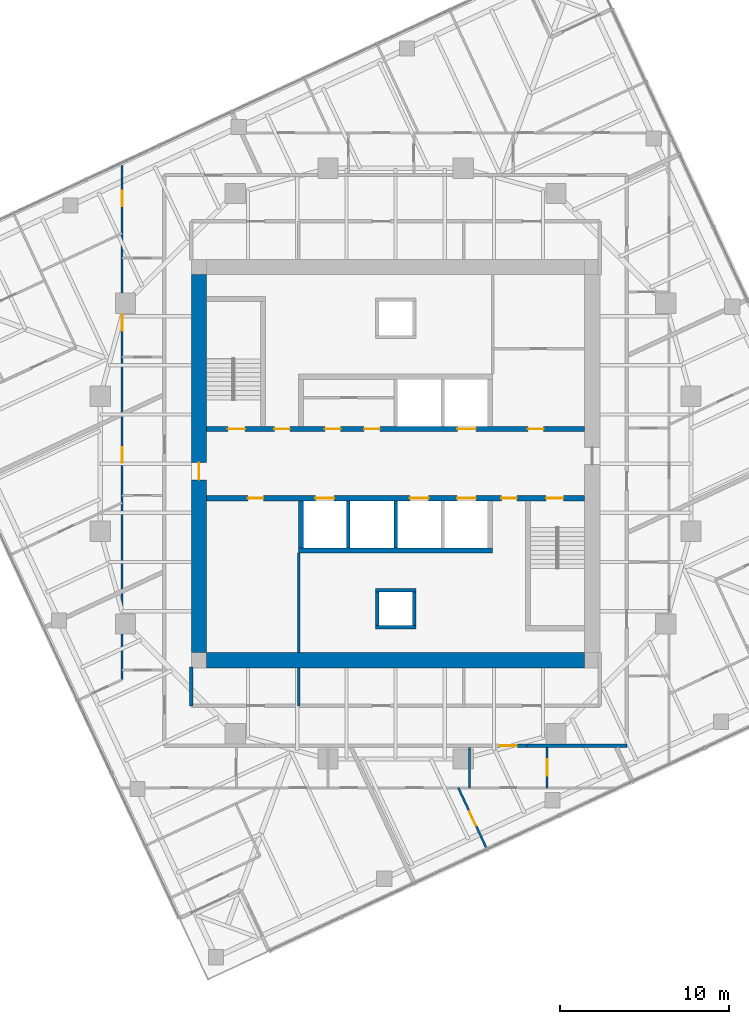
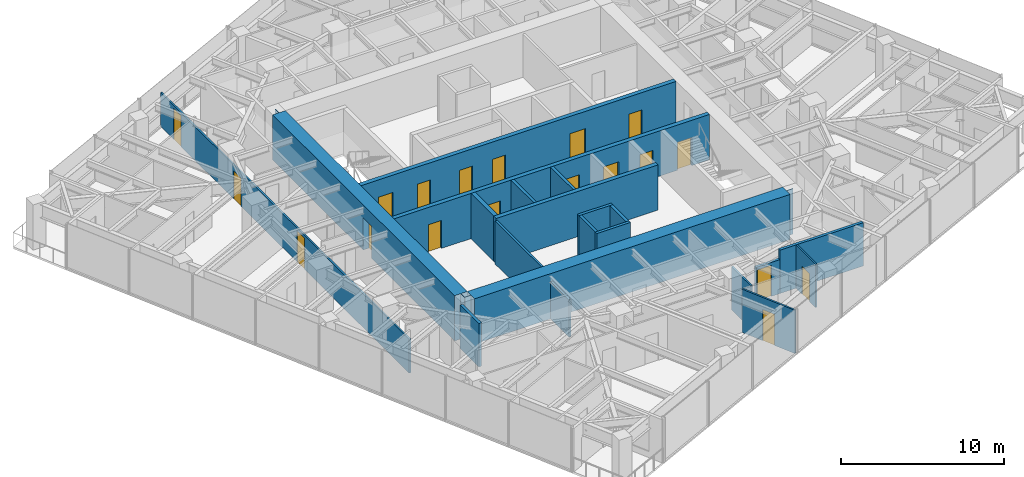
# One storey, part 8 of 12: 21 walls, 19 doors, 19 openings.
"""IFC4 building model written with IfcOpenShell, lengths in metres."""

import ifcopenshell
import ifcopenshell.guid

model = None  # the IFC model being written
_history = None  # IfcOwnerHistory: only IFC2X3 demands one
_inside = {}  # id of a spatial element -> (the spatial element, [elements in it])
_under = {}  # id of a project, library or spatial element -> (it, [spatial elements below it])
_declared = {}  # id of a project -> (the project, [libraries it declares])
_typed = {}  # id of a type object -> (the type object, [elements of that type])
_made_of = {}  # id of a material, layer set ... -> (it, [elements and type objects made of it])


def new_model(schema):
    """Start an empty IFC model of exactly this schema.

    Asked for "IFC4X3", IfcOpenShell would pick the latest addendum, in which some entities
    have other attributes; the version numbers below select the first issue.
    IFC2X3 requires an IfcOwnerHistory on every rooted entity: one is made here for all.
    """
    global model, _history
    if schema == "IFC4X3":
        model = ifcopenshell.file(schema_version=(4, 3, 0, 0))
    else:
        model = ifcopenshell.file(schema=schema)
    _inside.clear()
    _under.clear()
    _declared.clear()
    _typed.clear()
    _made_of.clear()
    _history = None
    if model.schema == "IFC2X3":
        org = make("IfcOrganization", Name="unknown")
        user = make(
            "IfcPersonAndOrganization",
            ThePerson=make("IfcPerson", FamilyName="unknown"),
            TheOrganization=org,
        )
        app = make(
            "IfcApplication",
            ApplicationDeveloper=org,
            Version="unknown",
            ApplicationFullName="unknown",
            ApplicationIdentifier="unknown",
        )
        _history = make(
            "IfcOwnerHistory",
            OwningUser=user,
            OwningApplication=app,
            ChangeAction="ADDED",
            CreationDate=0,
        )
    return model


def make(cls, **values):
    """One entity of the class cls with the attributes given. An attribute that is None is left unset."""
    return model.create_entity(
        cls, **{name: value for name, value in values.items() if value is not None}
    )


def rooted(cls, **values):
    """An entity with a GlobalId (a new one), such as an element, a storey or a relation."""
    return make(cls, GlobalId=ifcopenshell.guid.new(), OwnerHistory=_history, **values)


def si_unit(unit_type, name, prefix=None):
    """IfcSIUnit, for example si_unit("LENGTHUNIT", "METRE", prefix="MILLI")."""
    return make("IfcSIUnit", UnitType=unit_type, Prefix=prefix, Name=name)


def assignment(units):
    """IfcUnitAssignment: the units of a project."""
    return None if units is None else make("IfcUnitAssignment", Units=units)


def point(xyz):
    """IfcCartesianPoint."""
    return None if xyz is None else make("IfcCartesianPoint", Coordinates=xyz)


def direction(xyz):
    """IfcDirection."""
    return None if xyz is None else make("IfcDirection", DirectionRatios=xyz)


def frame(location, z_axis=None, x_axis=None):
    """IfcAxis2Placement3D, a coordinate frame: its origin and axes. An axis left out is left unset."""
    return make(
        "IfcAxis2Placement3D",
        Location=point(location),
        Axis=direction(z_axis),
        RefDirection=direction(x_axis),
    )


def frame_2d(location, x_axis=None):
    """IfcAxis2Placement2D, a coordinate frame in the plane: its origin and x axis."""
    return make(
        "IfcAxis2Placement2D", Location=point(location), RefDirection=direction(x_axis)
    )


def origin():
    """The frame at (0, 0, 0) with its axes left unset."""
    return frame((0.0, 0.0, 0.0))


def place(relative_to, where):
    """IfcLocalPlacement: puts the frame where relative to a parent placement (None: the world)."""
    return make(
        "IfcLocalPlacement", PlacementRelTo=relative_to, RelativePlacement=where
    )


def context(
    kind, dimensions, precision=None, world=None, true_north=None, identifier=None
):
    """IfcGeometricRepresentationContext, for example the 3D "Model" context."""
    return make(
        "IfcGeometricRepresentationContext",
        ContextIdentifier=identifier,
        ContextType=kind,
        CoordinateSpaceDimension=dimensions,
        Precision=precision,
        WorldCoordinateSystem=world,
        TrueNorth=true_north,
    )


def subcontext(parent, identifier, kind, view, scale=None):
    """IfcGeometricRepresentationSubContext, for example "Body" below "Model"."""
    return make(
        "IfcGeometricRepresentationSubContext",
        ContextIdentifier=identifier,
        ContextType=kind,
        ParentContext=parent,
        TargetScale=scale,
        TargetView=view,
    )


def project(units=None, contexts=None):
    """IfcProject with its units and contexts."""
    return rooted(
        "IfcProject",
        Name="project",
        RepresentationContexts=contexts,
        UnitsInContext=assignment(units),
    )


def spatial(cls, under=None, at=None, **own):
    """A site, building, storey or space (cls), placed at a placement, below another one or the project."""
    s = rooted(cls, ObjectPlacement=at, **own)
    if under is not None:
        _under.setdefault(under.id(), (under, []))[1].append(s)
    return s


def polyline(points):
    """IfcPolyline through the points."""
    return make("IfcPolyline", Points=[point(p) for p in points])


def profile(cls, at=None, kind="AREA", **sizes):
    """A parametric profile (cls). Its sizes go by their IFC names, for example OverallWidth=200.0."""
    return make(cls, ProfileType=kind, Position=at, **sizes)


def rectangle(**sizes):
    """IfcRectangleProfileDef."""
    return profile("IfcRectangleProfileDef", **sizes)


def outline(outer, holes=None, kind="AREA"):
    """IfcArbitraryClosedProfileDef: a profile drawn as a closed curve; with holes, ...WithVoids."""
    if holes is None:
        return make("IfcArbitraryClosedProfileDef", ProfileType=kind, OuterCurve=outer)
    return make(
        "IfcArbitraryProfileDefWithVoids",
        ProfileType=kind,
        OuterCurve=outer,
        InnerCurves=holes,
    )


def extrude(swept, where, along, depth):
    """IfcExtrudedAreaSolid: the profile swept, set in the frame where, extruded along a direction by depth."""
    return make(
        "IfcExtrudedAreaSolid",
        SweptArea=swept,
        Position=where,
        ExtrudedDirection=direction(along),
        Depth=depth,
    )


def shape(context_of_items, identifier, shape_type, items):
    """IfcShapeRepresentation: the items that make up one representation, for example the "Body"."""
    return make(
        "IfcShapeRepresentation",
        ContextOfItems=context_of_items,
        RepresentationIdentifier=identifier,
        RepresentationType=shape_type,
        Items=items,
    )


def material(Name=None, Category=None):
    """IfcMaterial."""
    return make("IfcMaterial", Name=Name, Category=Category)


def layer(
    of_material, thickness, ventilated=None, Name=None, Category=None, Priority=None
):
    """IfcMaterialLayer: one layer of a wall or slab, of a material (None: an air gap)."""
    return make(
        "IfcMaterialLayer",
        Material=of_material,
        LayerThickness=thickness,
        IsVentilated=ventilated,
        Name=Name,
        Category=Category,
        Priority=Priority,
    )


def layer_set(layers, Name=None):
    """IfcMaterialLayerSet."""
    return make("IfcMaterialLayerSet", MaterialLayers=layers, LayerSetName=Name)


def made_of(thing, what):
    """Note that an element or type object is made of a material, layer set ...; save() writes the relation."""
    if what is not None:
        _made_of.setdefault(what.id(), (what, []))[1].append(thing)
    return thing


def type_object(cls, material=None, **own):
    """A type object (cls), such as IfcWallType, which elements share."""
    return made_of(rooted(cls, **own), material)


def element(
    cls,
    number,
    at=None,
    inside=None,
    cuts=None,
    type_object=None,
    material=None,
    context=None,
    identifier="Body",
    shape_type=None,
    held_by="IfcProductDefinitionShape",
    body=None,
    shapes=None,
    **own,
):
    """One element of the class cls, such as IfcWall. Its Tag is "e" and its number.

    at: its placement. inside: the storey or other place that contains it. cuts: it is an
    opening in that element (IfcRelVoidsElement). A single representation is given by context,
    identifier, shape_type and body (its items); several are given by shapes. held_by: the class
    of the entity that holds the representations. save() writes the other relations.
    """
    e = rooted(cls, Tag="e%d" % number, ObjectPlacement=at, **own)
    if body is not None:
        shapes = [shape(context, identifier, shape_type, body)]
    if shapes is not None:
        e.Representation = make(held_by, Representations=shapes)
    if inside is not None:
        _inside.setdefault(inside.id(), (inside, []))[1].append(e)
    if cuts is not None:
        rooted(
            "IfcRelVoidsElement", RelatingBuildingElement=cuts, RelatedOpeningElement=e
        )
    if type_object is not None:
        _typed.setdefault(type_object.id(), (type_object, []))[1].append(e)
    return made_of(e, material)


def fill(opening, filler):
    """IfcRelFillsElement: the door or window that sits in an opening."""
    return rooted(
        "IfcRelFillsElement",
        RelatingOpeningElement=opening,
        RelatedBuildingElement=filler,
    )


def aggregate(whole, parts):
    """IfcRelAggregates: a whole, such as a stair, and the parts it consists of."""
    return rooted("IfcRelAggregates", RelatingObject=whole, RelatedObjects=parts)


def save(model, path):
    """Write the relations noted so far, then the file.

    IfcRelAggregates (storeys below a building ...), IfcRelContainedInSpatialStructure (elements
    in a storey), IfcRelDefinesByType, IfcRelAssociatesMaterial and IfcRelDeclares: one each for
    every whole, place, type object, material and project.
    """
    for whole, parts in _under.values():
        aggregate(whole, parts)
    for where, things in _inside.values():
        rooted(
            "IfcRelContainedInSpatialStructure",
            RelatedElements=things,
            RelatingStructure=where,
        )
    for kind, things in _typed.values():
        rooted("IfcRelDefinesByType", RelatedObjects=things, RelatingType=kind)
    for what, things in _made_of.values():
        rooted("IfcRelAssociatesMaterial", RelatedObjects=things, RelatingMaterial=what)
    for by, libraries in _declared.values():
        rooted("IfcRelDeclares", RelatingContext=by, RelatedDefinitions=libraries)
    model.write(path)


model = new_model("IFC4")

# Units and contexts
model_context = context("Model", 3, precision=1e-05, world=origin(), true_north=direction((0.0, 1.0)))
body_context = subcontext(model_context, "Body", "Model", "MODEL_VIEW")
ifc_project = project(units=[si_unit("LENGTHUNIT", "METRE"), si_unit("AREAUNIT", "SQUARE_METRE"), si_unit("VOLUMEUNIT", "CUBIC_METRE"), si_unit("PLANEANGLEUNIT", "RADIAN"), si_unit("MASSUNIT", "GRAM", prefix="KILO")], contexts=[model_context])

# Site, building, storey
site_placement = place(None, origin())
site = spatial("IfcSite", under=ifc_project, at=site_placement, CompositionType="ELEMENT")
building_placement = place(site_placement, origin())
building = spatial("IfcBuilding", under=site, at=building_placement, Name="Torsade Residences", CompositionType="ELEMENT")
storey_placement = place(building_placement, frame((0.0, 0.0, 193.0)))
storey = spatial("IfcBuildingStorey", under=building, at=storey_placement, Name="L53", CompositionType="ELEMENT", Elevation=193.0)

# Wall, openings, doors
ifc_material_1 = material(Name="Concrete 80 MPa", Category="concrete")
ifc_layer_1 = layer(ifc_material_1, 0.300048828125)
ifc_layer_set_1 = layer_set([ifc_layer_1], Name="Concrete 80 MPa")
wall_type_1 = type_object("IfcWallType", Name="CORE INTERNAL WALL 300", PredefinedType="SHEAR", material=ifc_layer_set_1)
wall_1_placement = place(storey_placement, frame((28.800048828125, 32.050048828125, 0.0), z_axis=(0.0, 0.0, 1.0), x_axis=(1.0, 0.0, 0.0)))
wall_1 = element("IfcWall", 1, at=wall_1_placement, inside=storey, type_object=wall_type_1, Name="Core wall LN L53", PredefinedType="SHEAR", context=body_context, shape_type="SweptSolid", body=[
    extrude(rectangle(XDim=22.39990234375, YDim=0.300048828125, at=frame_2d((11.199951171875, 0.0))), origin(), (0.0, 0.0, 1.0), 3.39990234375),
])
opening_1_placement = place(wall_1_placement, frame((19.0400390625, 0.0, 0.0)))
opening_1 = element("IfcOpeningElement", 2, at=opening_1_placement, cuts=wall_1, Name="Opening D06", PredefinedType="OPENING", context=body_context, shape_type="SweptSolid", body=[
    extrude(rectangle(XDim=0.919921875, YDim=2.10009765625, at=frame_2d((0.4599609375, 1.050048828125))), frame((0.0, 0.159912109375, 0.0), z_axis=(0.0, -1.0, 0.0), x_axis=(1.0, 0.0, 0.0)), (0.0, 0.0, 1.0), 0.320068359375),
])
opening_2_placement = place(wall_1_placement, frame((1.264892578125, 0.0, 0.0)))
opening_2 = element("IfcOpeningElement", 3, at=opening_2_placement, cuts=wall_1, Name="Opening D03", PredefinedType="OPENING", context=body_context, shape_type="SweptSolid", body=[
    extrude(rectangle(XDim=1.02001953125, YDim=2.10009765625, at=frame_2d((0.510009765625, 1.050048828125))), frame((0.0, 0.159912109375, 0.0), z_axis=(0.0, -1.0, 0.0), x_axis=(1.0, 0.0, 0.0)), (0.0, 0.0, 1.0), 0.320068359375),
])
opening_3_placement = place(wall_1_placement, frame((4.014892578125, 0.0, 0.0)))
opening_3 = element("IfcOpeningElement", 4, at=opening_3_placement, cuts=wall_1, Name="Opening D06", PredefinedType="OPENING", context=body_context, shape_type="SweptSolid", body=[
    extrude(rectangle(XDim=0.919921875, YDim=2.10009765625, at=frame_2d((0.4599609375, 1.050048828125))), frame((0.0, 0.159912109375, 0.0), z_axis=(0.0, -1.0, 0.0), x_axis=(1.0, 0.0, 0.0)), (0.0, 0.0, 1.0), 0.320068359375),
])
opening_4_placement = place(wall_1_placement, frame((7.014892578125, 0.0, 0.0)))
opening_4 = element("IfcOpeningElement", 5, at=opening_4_placement, cuts=wall_1, Name="Opening D06", PredefinedType="OPENING", context=body_context, shape_type="SweptSolid", body=[
    extrude(rectangle(XDim=0.919921875, YDim=2.10009765625, at=frame_2d((0.4599609375, 1.050048828125))), frame((0.0, 0.159912109375, 0.0), z_axis=(0.0, -1.0, 0.0), x_axis=(1.0, 0.0, 0.0)), (0.0, 0.0, 1.0), 0.320068359375),
])
opening_5_placement = place(wall_1_placement, frame((9.340087890625, 0.0, 0.0)))
opening_5 = element("IfcOpeningElement", 6, at=opening_5_placement, cuts=wall_1, Name="Opening D06", PredefinedType="OPENING", context=body_context, shape_type="SweptSolid", body=[
    extrude(rectangle(XDim=0.919921875, YDim=2.10009765625, at=frame_2d((0.4599609375, 1.050048828125))), frame((0.0, 0.159912109375, 0.0), z_axis=(0.0, -1.0, 0.0), x_axis=(1.0, 0.0, 0.0)), (0.0, 0.0, 1.0), 0.320068359375),
])
opening_6_placement = place(wall_1_placement, frame((14.85009765625, 0.0, 0.0)))
opening_6 = element("IfcOpeningElement", 7, at=opening_6_placement, cuts=wall_1, Name="Opening LD", PredefinedType="OPENING", context=body_context, shape_type="SweptSolid", body=[
    extrude(rectangle(XDim=1.10009765625, YDim=2.10009765625, at=frame_2d((0.550048828125, 1.050048828125))), frame((0.0, 0.159912109375, 0.0), z_axis=(0.0, -1.0, 0.0), x_axis=(1.0, 0.0, 0.0)), (0.0, 0.0, 1.0), 0.320068359375),
])
ifc_material_2 = material(Name="Steel-framed fire door", Category="steel")
door_type_1 = type_object("IfcDoorType", Name="FIRE DOOR 1020", OperationType="NOTDEFINED", PredefinedType="DOOR", material=ifc_material_2)
door_1_placement = place(opening_2_placement, origin())
door_1 = element("IfcDoor", 8, at=door_1_placement, inside=storey, type_object=door_type_1, Name="Exit door to fire-isolated stair ST1 L53", OperationType="SINGLE_SWING_RIGHT", OverallHeight=2.10009765625, OverallWidth=1.02001953125, PredefinedType="DOOR", context=body_context, shape_type="SweptSolid", body=[
    extrude(rectangle(XDim=1.02001953125, YDim=2.10009765625, at=frame_2d((0.510009765625, 1.050048828125))), frame((0.0, 0.02490234375, 0.0), z_axis=(0.0, -1.0, 0.0), x_axis=(1.0, 0.0, 0.0)), (0.0, 0.0, 1.0), 0.050048828125),
])
fill(opening_2, door_1)
ifc_material_3 = material(Name="Steel-framed fire door", Category="steel")
door_type_2 = type_object("IfcDoorType", Name="FIRE DOOR 920", OperationType="NOTDEFINED", PredefinedType="DOOR", material=ifc_material_3)
door_2_placement = place(opening_1_placement, origin())
door_2 = element("IfcDoor", 9, at=door_2_placement, inside=storey, type_object=door_type_2, Name="Door Lift lobby to Refuse room", OperationType="SINGLE_SWING_LEFT", OverallHeight=2.10009765625, OverallWidth=0.919921875, PredefinedType="DOOR", context=body_context, shape_type="SweptSolid", body=[
    extrude(rectangle(XDim=0.919921875, YDim=2.10009765625, at=frame_2d((0.4599609375, 1.050048828125))), frame((0.0, 0.02490234375, 0.0), z_axis=(0.0, -1.0, 0.0), x_axis=(1.0, 0.0, 0.0)), (0.0, 0.0, 1.0), 0.050048828125),
])
fill(opening_1, door_2)
door_3_placement = place(opening_3_placement, origin())
door_3 = element("IfcDoor", 10, at=door_3_placement, inside=storey, type_object=door_type_2, Name="Door Lift lobby to Electrical riser room", OperationType="SINGLE_SWING_LEFT", OverallHeight=2.10009765625, OverallWidth=0.919921875, PredefinedType="DOOR", context=body_context, shape_type="SweptSolid", body=[
    extrude(rectangle(XDim=0.919921875, YDim=2.10009765625, at=frame_2d((0.4599609375, 1.050048828125))), frame((0.0, 0.02490234375, 0.0), z_axis=(0.0, -1.0, 0.0), x_axis=(1.0, 0.0, 0.0)), (0.0, 0.0, 1.0), 0.050048828125),
])
fill(opening_3, door_3)
door_4_placement = place(opening_4_placement, origin())
door_4 = element("IfcDoor", 11, at=door_4_placement, inside=storey, type_object=door_type_2, Name="Door Lift lobby to Residents storage L53A", OperationType="SINGLE_SWING_RIGHT", OverallHeight=2.10009765625, OverallWidth=0.919921875, PredefinedType="DOOR", context=body_context, shape_type="SweptSolid", body=[
    extrude(rectangle(XDim=0.919921875, YDim=2.10009765625, at=frame_2d((0.4599609375, 1.050048828125))), frame((0.0, 0.02490234375, 0.0), z_axis=(0.0, -1.0, 0.0), x_axis=(1.0, 0.0, 0.0)), (0.0, 0.0, 1.0), 0.050048828125),
])
fill(opening_4, door_4)
door_5_placement = place(opening_5_placement, origin())
door_5 = element("IfcDoor", 12, at=door_5_placement, inside=storey, type_object=door_type_2, Name="Door Lift lobby to Residents storage L53A", OperationType="SINGLE_SWING_RIGHT", OverallHeight=2.10009765625, OverallWidth=0.919921875, PredefinedType="DOOR", context=body_context, shape_type="SweptSolid", body=[
    extrude(rectangle(XDim=0.919921875, YDim=2.10009765625, at=frame_2d((0.4599609375, 1.050048828125))), frame((0.0, 0.02490234375, 0.0), z_axis=(0.0, -1.0, 0.0), x_axis=(1.0, 0.0, 0.0)), (0.0, 0.0, 1.0), 0.050048828125),
])
fill(opening_5, door_5)
ifc_material_4 = material(Name="Stainless steel lift landing door", Category="steel")
door_type_3 = type_object("IfcDoorType", Name="LIFT LANDING DOOR 1100", OperationType="SLIDING_TO_LEFT", PredefinedType="DOOR", material=ifc_material_4)
door_6_placement = place(opening_6_placement, origin())
door_6 = element("IfcDoor", 13, at=door_6_placement, inside=storey, type_object=door_type_3, Name="Lift FL1 landing door L53", OperationType="SLIDING_TO_LEFT", OverallHeight=2.10009765625, OverallWidth=1.10009765625, PredefinedType="DOOR", context=body_context, shape_type="SweptSolid", body=[
    extrude(rectangle(XDim=1.10009765625, YDim=2.10009765625, at=frame_2d((0.550048828125, 1.050048828125))), frame((0.0, 0.02490234375, 0.0), z_axis=(0.0, -1.0, 0.0), x_axis=(1.0, 0.0, 0.0)), (0.0, 0.0, 1.0), 0.050048828125),
])
fill(opening_6, door_6)

wall_2_placement = place(storey_placement, frame((51.199951171875, 27.949951171875, 0.0), z_axis=(0.0, 0.0, 1.0), x_axis=(-1.0, 0.0, 0.0)))
wall_2 = element("IfcWall", 14, at=wall_2_placement, inside=storey, type_object=wall_type_1, Name="Core wall LS L53", PredefinedType="SHEAR", context=body_context, shape_type="SweptSolid", body=[
    extrude(rectangle(XDim=22.39990234375, YDim=0.300048828125, at=frame_2d((11.199951171875, 0.0))), origin(), (0.0, 0.0, 1.0), 3.39990234375),
])
opening_7_placement = place(wall_2_placement, frame((19.0400390625, 0.0, 0.0)))
opening_7 = element("IfcOpeningElement", 15, at=opening_7_placement, cuts=wall_2, Name="Opening D06", PredefinedType="OPENING", context=body_context, shape_type="SweptSolid", body=[
    extrude(rectangle(XDim=0.919921875, YDim=2.10009765625, at=frame_2d((0.4599609375, 1.050048828125))), frame((0.0, 0.159912109375, 0.0), z_axis=(0.0, -1.0, 0.0), x_axis=(1.0, 0.0, 0.0)), (0.0, 0.0, 1.0), 0.320068359375),
])
opening_8_placement = place(wall_2_placement, frame((1.264892578125, 0.0, 0.0)))
opening_8 = element("IfcOpeningElement", 16, at=opening_8_placement, cuts=wall_2, Name="Opening D03", PredefinedType="OPENING", context=body_context, shape_type="SweptSolid", body=[
    extrude(rectangle(XDim=1.02001953125, YDim=2.10009765625, at=frame_2d((0.510009765625, 1.050048828125))), frame((0.0, 0.159912109375, 0.0), z_axis=(0.0, -1.0, 0.0), x_axis=(1.0, 0.0, 0.0)), (0.0, 0.0, 1.0), 0.320068359375),
])
opening_9_placement = place(wall_2_placement, frame((4.014892578125, 0.0, 0.0)))
opening_9 = element("IfcOpeningElement", 17, at=opening_9_placement, cuts=wall_2, Name="Opening D06", PredefinedType="OPENING", context=body_context, shape_type="SweptSolid", body=[
    extrude(rectangle(XDim=0.919921875, YDim=2.10009765625, at=frame_2d((0.4599609375, 1.050048828125))), frame((0.0, 0.159912109375, 0.0), z_axis=(0.0, -1.0, 0.0), x_axis=(1.0, 0.0, 0.0)), (0.0, 0.0, 1.0), 0.320068359375),
])
opening_10_placement = place(wall_2_placement, frame((6.449951171875, 0.0, 0.0)))
opening_10 = element("IfcOpeningElement", 18, at=opening_10_placement, cuts=wall_2, Name="Opening LD", PredefinedType="OPENING", context=body_context, shape_type="SweptSolid", body=[
    extrude(rectangle(XDim=1.10009765625, YDim=2.10009765625, at=frame_2d((0.550048828125, 1.050048828125))), frame((0.0, 0.159912109375, 0.0), z_axis=(0.0, -1.0, 0.0), x_axis=(1.0, 0.0, 0.0)), (0.0, 0.0, 1.0), 0.320068359375),
])
opening_11_placement = place(wall_2_placement, frame((9.25, 0.0, 0.0)))
opening_11 = element("IfcOpeningElement", 19, at=opening_11_placement, cuts=wall_2, Name="Opening LD", PredefinedType="OPENING", context=body_context, shape_type="SweptSolid", body=[
    extrude(rectangle(XDim=1.10009765625, YDim=2.10009765625, at=frame_2d((0.550048828125, 1.050048828125))), frame((0.0, 0.159912109375, 0.0), z_axis=(0.0, -1.0, 0.0), x_axis=(1.0, 0.0, 0.0)), (0.0, 0.0, 1.0), 0.320068359375),
])
opening_12_placement = place(wall_2_placement, frame((14.85009765625, 0.0, 0.0)))
opening_12 = element("IfcOpeningElement", 20, at=opening_12_placement, cuts=wall_2, Name="Opening LD", PredefinedType="OPENING", context=body_context, shape_type="SweptSolid", body=[
    extrude(rectangle(XDim=1.10009765625, YDim=2.10009765625, at=frame_2d((0.550048828125, 1.050048828125))), frame((0.0, 0.159912109375, 0.0), z_axis=(0.0, -1.0, 0.0), x_axis=(1.0, 0.0, 0.0)), (0.0, 0.0, 1.0), 0.320068359375),
])
door_7_placement = place(opening_8_placement, origin())
door_7 = element("IfcDoor", 21, at=door_7_placement, inside=storey, type_object=door_type_1, Name="Exit door to fire-isolated stair ST2 L53", OperationType="SINGLE_SWING_RIGHT", OverallHeight=2.10009765625, OverallWidth=1.02001953125, PredefinedType="DOOR", context=body_context, shape_type="SweptSolid", body=[
    extrude(rectangle(XDim=1.02001953125, YDim=2.10009765625, at=frame_2d((0.510009765625, 1.050048828125))), frame((0.0, 0.02490234375, 0.0), z_axis=(0.0, -1.0, 0.0), x_axis=(1.0, 0.0, 0.0)), (0.0, 0.0, 1.0), 0.050048828125),
])
fill(opening_8, door_7)
door_8_placement = place(opening_7_placement, origin())
door_8 = element("IfcDoor", 22, at=door_8_placement, inside=storey, type_object=door_type_2, Name="Door Lift lobby to Cleaner store", OperationType="SINGLE_SWING_LEFT", OverallHeight=2.10009765625, OverallWidth=0.919921875, PredefinedType="DOOR", context=body_context, shape_type="SweptSolid", body=[
    extrude(rectangle(XDim=0.919921875, YDim=2.10009765625, at=frame_2d((0.4599609375, 1.050048828125))), frame((0.0, 0.02490234375, 0.0), z_axis=(0.0, -1.0, 0.0), x_axis=(1.0, 0.0, 0.0)), (0.0, 0.0, 1.0), 0.050048828125),
])
fill(opening_7, door_8)
door_9_placement = place(opening_9_placement, origin())
door_9 = element("IfcDoor", 23, at=door_9_placement, inside=storey, type_object=door_type_2, Name="Door Lift lobby to Communications riser room", OperationType="SINGLE_SWING_RIGHT", OverallHeight=2.10009765625, OverallWidth=0.919921875, PredefinedType="DOOR", context=body_context, shape_type="SweptSolid", body=[
    extrude(rectangle(XDim=0.919921875, YDim=2.10009765625, at=frame_2d((0.4599609375, 1.050048828125))), frame((0.0, 0.02490234375, 0.0), z_axis=(0.0, -1.0, 0.0), x_axis=(1.0, 0.0, 0.0)), (0.0, 0.0, 1.0), 0.050048828125),
])
fill(opening_9, door_9)
door_10_placement = place(opening_10_placement, origin())
door_10 = element("IfcDoor", 24, at=door_10_placement, inside=storey, type_object=door_type_3, Name="Lift LB1 landing door L53", OperationType="SLIDING_TO_LEFT", OverallHeight=2.10009765625, OverallWidth=1.10009765625, PredefinedType="DOOR", context=body_context, shape_type="SweptSolid", body=[
    extrude(rectangle(XDim=1.10009765625, YDim=2.10009765625, at=frame_2d((0.550048828125, 1.050048828125))), frame((0.0, 0.02490234375, 0.0), z_axis=(0.0, -1.0, 0.0), x_axis=(1.0, 0.0, 0.0)), (0.0, 0.0, 1.0), 0.050048828125),
])
fill(opening_10, door_10)
door_11_placement = place(opening_11_placement, origin())
door_11 = element("IfcDoor", 25, at=door_11_placement, inside=storey, type_object=door_type_3, Name="Lift LB2 landing door L53", OperationType="SLIDING_TO_LEFT", OverallHeight=2.10009765625, OverallWidth=1.10009765625, PredefinedType="DOOR", context=body_context, shape_type="SweptSolid", body=[
    extrude(rectangle(XDim=1.10009765625, YDim=2.10009765625, at=frame_2d((0.550048828125, 1.050048828125))), frame((0.0, 0.02490234375, 0.0), z_axis=(0.0, -1.0, 0.0), x_axis=(1.0, 0.0, 0.0)), (0.0, 0.0, 1.0), 0.050048828125),
])
fill(opening_11, door_11)
door_12_placement = place(opening_12_placement, origin())
door_12 = element("IfcDoor", 26, at=door_12_placement, inside=storey, type_object=door_type_3, Name="Lift FL2 landing door L53", OperationType="SLIDING_TO_LEFT", OverallHeight=2.10009765625, OverallWidth=1.10009765625, PredefinedType="DOOR", context=body_context, shape_type="SweptSolid", body=[
    extrude(rectangle(XDim=1.10009765625, YDim=2.10009765625, at=frame_2d((0.550048828125, 1.050048828125))), frame((0.0, 0.02490234375, 0.0), z_axis=(0.0, -1.0, 0.0), x_axis=(1.0, 0.0, 0.0)), (0.0, 0.0, 1.0), 0.050048828125),
])
fill(opening_12, door_12)

# Walls
wall_3_placement = place(storey_placement, frame((45.75, 24.85009765625, 0.0), z_axis=(0.0, 0.0, 1.0), x_axis=(-1.0, 0.0, 0.0)))
element("IfcWall", 27, at=wall_3_placement, inside=storey, type_object=wall_type_1, Name="Core wall BS L53", PredefinedType="SHEAR", context=body_context, shape_type="SweptSolid", body=[
    extrude(rectangle(XDim=11.5, YDim=0.300048828125, at=frame_2d((5.75, 0.0))), origin(), (0.0, 0.0, 1.0), 3.39990234375),
])
wall_4_placement = place(storey_placement, frame((34.39990234375, 27.800048828125, 0.0), z_axis=(0.0, 0.0, 1.0), x_axis=(0.0, -1.0, 0.0)))
element("IfcWall", 28, at=wall_4_placement, inside=storey, type_object=wall_type_1, Name="Core wall DS4 L53", PredefinedType="SHEAR", context=body_context, shape_type="SweptSolid", body=[
    extrude(rectangle(XDim=2.800048828125, YDim=0.300048828125, at=frame_2d((1.39990234375, 0.0))), origin(), (0.0, 0.0, 1.0), 3.39990234375),
])
ifc_material_5 = material(Name="Concrete 80 MPa", Category="concrete")
ifc_layer_2 = layer(ifc_material_5, 0.89990234375)
ifc_layer_set_2 = layer_set([ifc_layer_2], Name="Concrete 80 MPa")
wall_type_2 = type_object("IfcWallType", Name="CORE WALL 900", PredefinedType="SHEAR", material=ifc_layer_set_2)
wall_5_placement = place(storey_placement, frame((51.199951171875, 18.35009765625, 0.0), z_axis=(0.0, 0.0, 1.0), x_axis=(-1.0, 0.0, 0.0)))
element("IfcWall", 29, at=wall_5_placement, inside=storey, type_object=wall_type_2, Name="Core wall S L53", PredefinedType="SHEAR", context=body_context, shape_type="SweptSolid", body=[
    extrude(outline(polyline([(0.0, -0.449951171875), (22.39990234375, -0.449951171875), (22.39990234375, -0.02490234375), (22.849853515625, -0.02490234375), (22.849853515625, 0.02490234375), (22.39990234375, 0.02490234375), (22.39990234375, 0.449951171875), (0.0, 0.449951171875), (0.0, 0.02490234375), (-0.449951171875, 0.02490234375), (-0.449951171875, -0.02490234375), (0.0, -0.02490234375), (0.0, -0.449951171875)])), origin(), (0.0, 0.0, 1.0), 3.39990234375),
])

# Wall, opening, door
wall_6_placement = place(storey_placement, frame((28.35009765625, 41.199951171875, 0.0), z_axis=(0.0, 0.0, 1.0), x_axis=(0.0, -1.0, 0.0)))
wall_6 = element("IfcWall", 30, at=wall_6_placement, inside=storey, type_object=wall_type_2, Name="Core wall W L53", PredefinedType="SHEAR", context=body_context, shape_type="SweptSolid", body=[
    extrude(outline(polyline([(0.0, -0.449951171875), (22.39990234375, -0.449951171875), (22.39990234375, -0.02490234375), (22.849853515625, -0.02490234375), (22.849853515625, 0.02490234375), (22.39990234375, 0.02490234375), (22.39990234375, 0.449951171875), (0.0, 0.449951171875), (0.0, 0.02490234375), (-0.449951171875, 0.02490234375), (-0.449951171875, -0.02490234375), (0.0, -0.02490234375), (0.0, -0.449951171875)])), origin(), (0.0, 0.0, 1.0), 3.39990234375),
])
opening_13_placement = place(wall_6_placement, frame((11.139892578125, 0.0, 0.0)))
opening_13 = element("IfcOpeningElement", 31, at=opening_13_placement, cuts=wall_6, Name="Opening D04", PredefinedType="OPENING", context=body_context, shape_type="SweptSolid", body=[
    extrude(rectangle(XDim=1.02001953125, YDim=2.39990234375, at=frame_2d((0.510009765625, 1.199951171875))), frame((0.0, 0.4599609375, 0.0), z_axis=(0.0, -1.0, 0.0), x_axis=(1.0, 0.0, 0.0)), (0.0, 0.0, 1.0), 0.919921875),
])
ifc_material_6 = material(Name="Steel-framed fire door", Category="steel")
door_type_4 = type_object("IfcDoorType", Name="LOBBY SMOKE DOOR 1020x2400", OperationType="NOTDEFINED", PredefinedType="DOOR", material=ifc_material_6)
door_13_placement = place(opening_13_placement, origin())
door_13 = element("IfcDoor", 32, at=door_13_placement, inside=storey, type_object=door_type_4, Name="Lift lobby door W L53", OperationType="SINGLE_SWING_RIGHT", OverallHeight=2.39990234375, OverallWidth=1.02001953125, PredefinedType="DOOR", context=body_context, shape_type="SweptSolid", body=[
    extrude(rectangle(XDim=1.02001953125, YDim=2.39990234375, at=frame_2d((0.510009765625, 1.199951171875))), frame((0.0, 0.02490234375, 0.0), z_axis=(0.0, -1.0, 0.0), x_axis=(1.0, 0.0, 0.0)), (0.0, 0.0, 1.0), 0.050048828125),
])
fill(opening_13, door_13)

ifc_material_7 = material(Name="Plasterboard on steel stud", Category="steel")
ifc_layer_3 = layer(ifc_material_7, 0.199951171875)
ifc_layer_set_3 = layer_set([ifc_layer_3], Name="Plasterboard on steel stud")
wall_type_3 = type_object("IfcWallType", Name="CORRIDOR WALL 200", PredefinedType="PARTITIONING", material=ifc_layer_set_3)
wall_7_placement = place(storey_placement, frame((46.091552734375, 13.300048828125, 0.0), z_axis=(0.0, 0.0, 1.0), x_axis=(1.0, 0.0, 0.0)))
wall_7 = element("IfcWall", 33, at=wall_7_placement, inside=storey, type_object=wall_type_3, Name="Corridor wall L53", PredefinedType="PARTITIONING", context=body_context, shape_type="SweptSolid", body=[
    extrude(rectangle(XDim=1.68359375, YDim=0.199951171875, at=frame_2d((0.841796875, 0.0))), origin(), (0.0, 0.0, 1.0), 2.550048828125),
])
opening_14_placement = place(wall_7_placement, frame((0.072509765625, 0.0, 0.0)))
opening_14 = element("IfcOpeningElement", 34, at=opening_14_placement, cuts=wall_7, Name="Opening D01", PredefinedType="OPENING", context=body_context, shape_type="SweptSolid", body=[
    extrude(rectangle(XDim=1.02001953125, YDim=2.340087890625, at=frame_2d((0.510009765625, 1.169921875))), frame((0.0, 0.10986328125, 0.0), z_axis=(0.0, -1.0, 0.0), x_axis=(1.0, 0.0, 0.0)), (0.0, 0.0, 1.0), 0.219970703125),
])
ifc_material_8 = material(Name="Solid-core timber fire door", Category="wood")
door_type_5 = type_object("IfcDoorType", Name="APARTMENT ENTRY DOOR 1020x2340", OperationType="NOTDEFINED", PredefinedType="DOOR", material=ifc_material_8)
door_14_placement = place(opening_14_placement, origin())
door_14 = element("IfcDoor", 35, at=door_14_placement, inside=storey, type_object=door_type_5, Name="Door Residential corridor to Kitchen and dining", OperationType="SINGLE_SWING_RIGHT", OverallHeight=2.340087890625, OverallWidth=1.02001953125, PredefinedType="DOOR", context=body_context, shape_type="SweptSolid", body=[
    extrude(rectangle(XDim=1.02001953125, YDim=2.340087890625, at=frame_2d((0.510009765625, 1.169921875))), frame((0.0, 0.02490234375, 0.0), z_axis=(0.0, -1.0, 0.0), x_axis=(1.0, 0.0, 0.0)), (0.0, 0.0, 1.0), 0.050048828125),
])
fill(opening_14, door_14)

# Walls
wall_8_placement = place(storey_placement, frame((47.775146484375, 13.300048828125, 0.0), z_axis=(0.0, 0.0, 1.0), x_axis=(1.0, 0.0, 0.0)))
element("IfcWall", 36, at=wall_8_placement, inside=storey, type_object=wall_type_3, Name="Corridor wall L53", PredefinedType="PARTITIONING", context=body_context, shape_type="SweptSolid", body=[
    extrude(rectangle(XDim=5.9248046875, YDim=0.199951171875, at=frame_2d((2.96240234375, 0.0))), origin(), (0.0, 0.0, 1.0), 3.25),
])
wall_9_placement = place(storey_placement, frame((27.89990234375, 17.949951171875, 0.0), z_axis=(0.0, 0.0, 1.0), x_axis=(0.0, -1.0, 0.0)))
element("IfcWall", 37, at=wall_9_placement, inside=storey, type_object=wall_type_3, Name="Corridor wall L53", PredefinedType="PARTITIONING", context=body_context, shape_type="SweptSolid", body=[
    extrude(rectangle(XDim=2.300048828125, YDim=0.199951171875, at=frame_2d((1.14990234375, 0.0))), origin(), (0.0, 0.0, 1.0), 3.25),
])
ifc_material_9 = material(Name="Reinforced blockwork", Category="masonry")
ifc_layer_4 = layer(ifc_material_9, 0.199951171875)
ifc_layer_set_4 = layer_set([ifc_layer_4], Name="Reinforced blockwork")
wall_type_4 = type_object("IfcWallType", Name="LIFT SHAFT DIVIDING WALL 200", PredefinedType="SOLIDWALL", material=ifc_layer_set_4)
for number, where, z_axis, x_axis, name in (
    (38, (40.0, 27.800048828125, 0.0), (0.0, 0.0, 1.0), (0.0, -1.0, 0.0), "Core wall DS2 L53"),
    (39, (37.199951171875, 27.800048828125, 0.0), (0.0, 0.0, 1.0), (0.0, -1.0, 0.0), "Core wall DS3 L53"),
):
    element("IfcWall", number, at=place(storey_placement, frame(where, z_axis=z_axis, x_axis=x_axis)), inside=storey, type_object=wall_type_4, Name=name, PredefinedType="SOLIDWALL", context=body_context, shape_type="SweptSolid", body=[
        extrude(rectangle(XDim=2.800048828125, YDim=0.199951171875, at=frame_2d((1.39990234375, 0.0))), origin(), (0.0, 0.0, 1.0), 3.39990234375),
    ])

# Wall, openings, doors
ifc_material_10 = material(Name="Plasterboard on steel stud", Category="steel")
ifc_layer_5 = layer(ifc_material_10, 0.1201171875)
ifc_layer_set_5 = layer_set([ifc_layer_5], Name="Plasterboard on steel stud")
wall_type_5 = type_object("IfcWallType", Name="PARTITION 120", PredefinedType="PARTITIONING", material=ifc_layer_set_5)
wall_10_placement = place(storey_placement, frame((23.800048828125, 17.204833984375, 0.0), z_axis=(0.0, 0.0, 1.0), x_axis=(0.0, 1.0, 0.0)))
wall_10 = element("IfcWall", 40, at=wall_10_placement, inside=storey, type_object=wall_type_5, Name="Partition L53", PredefinedType="PARTITIONING", context=body_context, shape_type="SweptSolid", body=[
    extrude(rectangle(XDim=30.574462890625, YDim=0.1201171875, at=frame_2d((15.287109375, 0.0))), origin(), (0.0, 0.0, 1.0), 2.550048828125),
])
opening_15_placement = place(wall_10_placement, frame((12.857421875, 0.0, 0.0)))
opening_15 = element("IfcOpeningElement", 41, at=opening_15_placement, cuts=wall_10, Name="Opening D02", PredefinedType="OPENING", context=body_context, shape_type="SweptSolid", body=[
    extrude(rectangle(XDim=0.919921875, YDim=2.340087890625, at=frame_2d((0.4599609375, 1.169921875))), frame((0.0, 0.070068359375, 0.0), z_axis=(0.0, -1.0, 0.0), x_axis=(1.0, 0.0, 0.0)), (0.0, 0.0, 1.0), 0.14013671875),
])
opening_16_placement = place(wall_10_placement, frame((28.0419921875, 0.0, 0.0)))
opening_16 = element("IfcOpeningElement", 42, at=opening_16_placement, cuts=wall_10, Name="Opening D02", PredefinedType="OPENING", context=body_context, shape_type="SweptSolid", body=[
    extrude(rectangle(XDim=0.919921875, YDim=2.340087890625, at=frame_2d((0.4599609375, 1.169921875))), frame((0.0, 0.070068359375, 0.0), z_axis=(0.0, -1.0, 0.0), x_axis=(1.0, 0.0, 0.0)), (0.0, 0.0, 1.0), 0.14013671875),
])
opening_17_placement = place(wall_10_placement, frame((20.6552734375, 0.0, 0.0)))
opening_17 = element("IfcOpeningElement", 43, at=opening_17_placement, cuts=wall_10, Name="Opening D05", PredefinedType="OPENING", context=body_context, shape_type="SweptSolid", body=[
    extrude(rectangle(XDim=0.9599609375, YDim=2.10009765625, at=frame_2d((0.47998046875, 1.050048828125))), frame((0.0, 0.070068359375, 0.0), z_axis=(0.0, -1.0, 0.0), x_axis=(1.0, 0.0, 0.0)), (0.0, 0.0, 1.0), 0.14013671875),
])
ifc_material_11 = material(Name="Hollow-core timber door in a steel cavity frame", Category="steel")
door_type_6 = type_object("IfcDoorType", Name="BATHROOM CAVITY SLIDING DOOR 960", OperationType="SLIDING_TO_LEFT", PredefinedType="DOOR", material=ifc_material_11)
door_15_placement = place(opening_17_placement, origin())
door_15 = element("IfcDoor", 44, at=door_15_placement, inside=storey, type_object=door_type_6, Name="Door Bathroom to Living room", OperationType="SLIDING_TO_LEFT", OverallHeight=2.10009765625, OverallWidth=0.9599609375, PredefinedType="DOOR", context=body_context, shape_type="SweptSolid", body=[
    extrude(rectangle(XDim=0.9599609375, YDim=2.10009765625, at=frame_2d((0.47998046875, 1.050048828125))), frame((0.0, 0.02490234375, 0.0), z_axis=(0.0, -1.0, 0.0), x_axis=(1.0, 0.0, 0.0)), (0.0, 0.0, 1.0), 0.050048828125),
])
fill(opening_17, door_15)
ifc_material_12 = material(Name="Hollow-core timber door", Category="wood")
door_type_7 = type_object("IfcDoorType", Name="INTERNAL DOOR 920x2340", OperationType="NOTDEFINED", PredefinedType="DOOR", material=ifc_material_12)
door_16_placement = place(opening_15_placement, origin())
door_16 = element("IfcDoor", 45, at=door_16_placement, inside=storey, type_object=door_type_7, Name="Door Kitchen and dining to Living room", OperationType="SINGLE_SWING_RIGHT", OverallHeight=2.340087890625, OverallWidth=0.919921875, PredefinedType="DOOR", context=body_context, shape_type="SweptSolid", body=[
    extrude(rectangle(XDim=0.919921875, YDim=2.340087890625, at=frame_2d((0.4599609375, 1.169921875))), frame((0.0, 0.02490234375, 0.0), z_axis=(0.0, -1.0, 0.0), x_axis=(1.0, 0.0, 0.0)), (0.0, 0.0, 1.0), 0.050048828125),
])
fill(opening_15, door_16)
door_17_placement = place(opening_16_placement, origin())
door_17 = element("IfcDoor", 46, at=door_17_placement, inside=storey, type_object=door_type_7, Name="Door Kitchen and dining to Bedroom 1", OperationType="SINGLE_SWING_LEFT", OverallHeight=2.340087890625, OverallWidth=0.919921875, PredefinedType="DOOR", context=body_context, shape_type="SweptSolid", body=[
    extrude(rectangle(XDim=0.919921875, YDim=2.340087890625, at=frame_2d((0.4599609375, 1.169921875))), frame((0.0, 0.02490234375, 0.0), z_axis=(0.0, -1.0, 0.0), x_axis=(1.0, 0.0, 0.0)), (0.0, 0.0, 1.0), 0.050048828125),
])
fill(opening_16, door_17)

# Wall
wall_11_placement = place(storey_placement, frame((44.375244140625, 10.800048828125, 0.0), z_axis=(0.0, 0.0, 1.0), x_axis=(0.0, 1.0, 0.0)))
element("IfcWall", 47, at=wall_11_placement, inside=storey, type_object=wall_type_5, Name="Partition L53", PredefinedType="PARTITIONING", context=body_context, shape_type="SweptSolid", body=[
    extrude(rectangle(XDim=2.39990234375, YDim=0.1201171875, at=frame_2d((1.199951171875, 0.0))), origin(), (0.0, 0.0, 1.0), 3.25),
])

# Wall, opening, door
wall_12_placement = place(storey_placement, frame((48.97314453125, 13.199951171875, 0.0), z_axis=(0.0, 0.0, 1.0), x_axis=(0.0, -1.0, 0.0)))
wall_12 = element("IfcWall", 48, at=wall_12_placement, inside=storey, type_object=wall_type_5, Name="Partition L53", PredefinedType="PARTITIONING", context=body_context, shape_type="SweptSolid", body=[
    extrude(rectangle(XDim=2.39990234375, YDim=0.1201171875, at=frame_2d((1.199951171875, 0.0))), origin(), (0.0, 0.0, 1.0), 3.25),
])
opening_18_placement = place(wall_12_placement, frame((0.719970703125, 0.0, 0.0)))
opening_18 = element("IfcOpeningElement", 49, at=opening_18_placement, cuts=wall_12, Name="Opening D05", PredefinedType="OPENING", context=body_context, shape_type="SweptSolid", body=[
    extrude(rectangle(XDim=0.9599609375, YDim=2.10009765625, at=frame_2d((0.47998046875, 1.050048828125))), frame((0.0, 0.070068359375, 0.0), z_axis=(0.0, -1.0, 0.0), x_axis=(1.0, 0.0, 0.0)), (0.0, 0.0, 1.0), 0.14013671875),
])
door_18_placement = place(opening_18_placement, origin())
door_18 = element("IfcDoor", 50, at=door_18_placement, inside=storey, type_object=door_type_6, Name="Door Kitchen and dining to WC", OperationType="SLIDING_TO_LEFT", OverallHeight=2.10009765625, OverallWidth=0.9599609375, PredefinedType="DOOR", context=body_context, shape_type="SweptSolid", body=[
    extrude(rectangle(XDim=0.9599609375, YDim=2.10009765625, at=frame_2d((0.47998046875, 1.050048828125))), frame((0.0, 0.02490234375, 0.0), z_axis=(0.0, -1.0, 0.0), x_axis=(1.0, 0.0, 0.0)), (0.0, 0.0, 1.0), 0.050048828125),
])
fill(opening_18, door_18)

wall_13_placement = place(storey_placement, frame((43.712158203125, 10.800048828125, 0.0), z_axis=(0.0, 0.0, 1.0), x_axis=(0.422620823304, -0.906306592556, 0.0)))
wall_13 = element("IfcWall", 51, at=wall_13_placement, inside=storey, type_object=wall_type_5, Name="Partition L53", PredefinedType="PARTITIONING", context=body_context, shape_type="SweptSolid", body=[
    extrude(rectangle(XDim=3.989990234375, YDim=0.1201171875, at=frame_2d((1.9951171875, 0.0))), origin(), (0.0, 0.0, 1.0), 3.25),
])
opening_19_placement = place(wall_13_placement, frame((1.554931640625, 0.0, 0.0)))
opening_19 = element("IfcOpeningElement", 52, at=opening_19_placement, cuts=wall_13, Name="Opening D02", PredefinedType="OPENING", context=body_context, shape_type="SweptSolid", body=[
    extrude(rectangle(XDim=0.919921875, YDim=2.340087890625, at=frame_2d((0.4599609375, 1.169921875))), frame((0.0, 0.070068359375, 0.0), z_axis=(0.0, -1.0, 0.0), x_axis=(1.0, 0.0, 0.0)), (0.0, 0.0, 1.0), 0.14013671875),
])
door_19_placement = place(opening_19_placement, origin())
door_19 = element("IfcDoor", 53, at=door_19_placement, inside=storey, type_object=door_type_7, Name="Door Bedroom 1 to Living room", OperationType="SINGLE_SWING_LEFT", OverallHeight=2.340087890625, OverallWidth=0.919921875, PredefinedType="DOOR", context=body_context, shape_type="SweptSolid", body=[
    extrude(rectangle(XDim=0.919921875, YDim=2.340087890625, at=frame_2d((0.4599609375, 1.169921875))), frame((0.0, 0.02490234375, 0.0), z_axis=(0.0, -1.0, 0.0), x_axis=(1.0, 0.0, 0.0)), (0.0, 0.0, 1.0), 0.050048828125),
])
fill(opening_19, door_19)

# Walls
ifc_material_13 = material(Name="Reinforced blockwork", Category="masonry")
ifc_layer_6 = layer(ifc_material_13, 0.199951171875)
ifc_layer_set_6 = layer_set([ifc_layer_6], Name="Reinforced blockwork")
wall_type_6 = type_object("IfcWallType", Name="RISER SHAFT WALL 200", PredefinedType="SOLIDWALL", material=ifc_layer_set_6)
for number, where, z_axis, x_axis, name in (
    (54, (38.89990234375, 22.39990234375, 0.0), (0.0, 0.0, 1.0), (0.0, -1.0, 0.0), "Core wall RS2a L53"),
    (55, (41.10009765625, 22.39990234375, 0.0), (0.0, 0.0, 1.0), (0.0, -1.0, 0.0), "Core wall RS2b L53"),
):
    element("IfcWall", number, at=place(storey_placement, frame(where, z_axis=z_axis, x_axis=x_axis)), inside=storey, type_object=wall_type_6, Name=name, PredefinedType="SOLIDWALL", context=body_context, shape_type="SweptSolid", body=[
        extrude(rectangle(XDim=2.0, YDim=0.199951171875, at=frame_2d((1.0, 0.0))), origin(), (0.0, 0.0, 1.0), 3.39990234375),
    ])
for number, where, z_axis, x_axis, name in (
    (56, (38.800048828125, 22.5, 0.0), (0.0, 0.0, 1.0), (1.0, 0.0, 0.0), "Core wall RS2c L53"),
    (57, (38.800048828125, 20.300048828125, 0.0), (0.0, 0.0, 1.0), (1.0, 0.0, 0.0), "Core wall RS2d L53"),
):
    element("IfcWall", number, at=place(storey_placement, frame(where, z_axis=z_axis, x_axis=x_axis)), inside=storey, type_object=wall_type_6, Name=name, PredefinedType="SOLIDWALL", context=body_context, shape_type="SweptSolid", body=[
        extrude(rectangle(XDim=2.39990234375, YDim=0.199951171875, at=frame_2d((1.199951171875, 0.0))), origin(), (0.0, 0.0, 1.0), 3.39990234375),
    ])
ifc_material_14 = material(Name="Reinforced blockwork", Category="masonry")
ifc_layer_7 = layer(ifc_material_14, 0.14990234375)
ifc_layer_set_7 = layer_set([ifc_layer_7], Name="Reinforced blockwork")
wall_type_7 = type_object("IfcWallType", Name="SERVICE ROOM WALL 150", PredefinedType="SOLIDWALL", material=ifc_layer_set_7)
wall_14_placement = place(storey_placement, frame((34.25, 18.800048828125, 0.0), z_axis=(0.0, 0.0, 1.0), x_axis=(0.0, 1.0, 0.0)))
element("IfcWall", 58, at=wall_14_placement, inside=storey, type_object=wall_type_7, Name="Service room wall L53", PredefinedType="SOLIDWALL", context=body_context, shape_type="SweptSolid", body=[
    extrude(rectangle(XDim=5.89990234375, YDim=0.14990234375, at=frame_2d((2.949951171875, 0.0))), origin(), (0.0, 0.0, 1.0), 3.25),
])
wall_15_placement = place(storey_placement, frame((34.2646484375, 15.64990234375, 0.0), z_axis=(0.0, 0.0, 1.0), x_axis=(0.0, 1.0, 0.0)))
element("IfcWall", 59, at=wall_15_placement, inside=storey, type_object=wall_type_7, Name="Service room wall L53", PredefinedType="SOLIDWALL", context=body_context, shape_type="SweptSolid", body=[
    extrude(rectangle(XDim=2.25, YDim=0.14990234375, at=frame_2d((1.125, 0.0))), origin(), (0.0, 0.0, 1.0), 2.7958984375),
])

save(model, "model.ifc")
